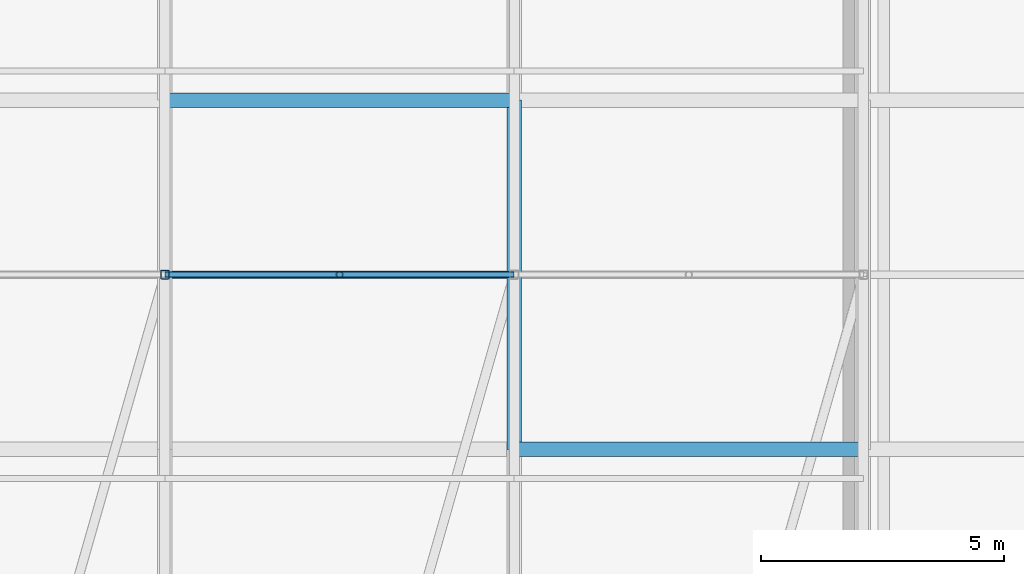
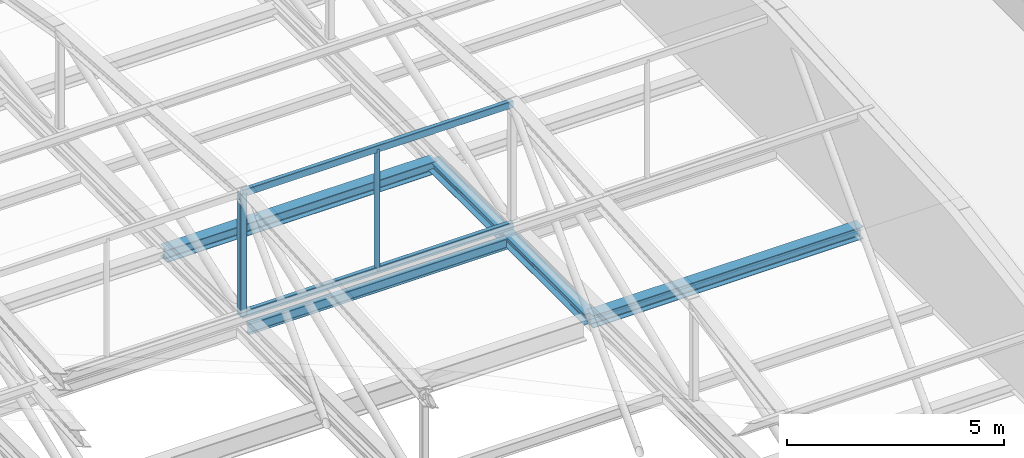
# One storey, part 32 of 76: 4 beams, 4 members.
"""IFC4 building model written with IfcOpenShell, lengths in metres."""

from ifc_helpers import new_model, si_unit, direction, frame, origin, origin_2d, place, context, subcontext, project, spatial, hollow_rectangle, hollow_circle, i_section, extrude, material, material_profile, profile_set, type_object, element, save


model = new_model("IFC4")

# Units and contexts
model_context = context("Model", 3, precision=1e-05, world=origin(), true_north=direction((0.0, 1.0)))
body_context = subcontext(model_context, "Body", "Model", "MODEL_VIEW")
ifc_project = project(units=[si_unit("LENGTHUNIT", "METRE"), si_unit("AREAUNIT", "SQUARE_METRE"), si_unit("VOLUMEUNIT", "CUBIC_METRE"), si_unit("PLANEANGLEUNIT", "RADIAN"), si_unit("MASSUNIT", "GRAM", prefix="KILO")], contexts=[model_context])

# Site, building, storey
site_placement = place(None, origin())
site = spatial("IfcSite", under=ifc_project, at=site_placement, CompositionType="ELEMENT")
building_placement = place(site_placement, origin())
building = spatial("IfcBuilding", under=site, at=building_placement, Name="Zlatovets Crest Museum", CompositionType="ELEMENT")
storey_placement = place(building_placement, frame((0.0, 0.0, 17.10009765625)))
storey = spatial("IfcBuildingStorey", under=building, at=storey_placement, Name="L04", CompositionType="ELEMENT", Elevation=17.10009765625)

# Beams
ifc_material = material(Name="Structural steel S355J2", Category="steel")
ifc_material_profile_1 = material_profile(ifc_material, i_section(OverallWidth=0.300048828125, OverallDepth=0.35009765625, WebThickness=0.010009765625, FlangeThickness=0.017578125, FilletRadius=0.027099609375, at=origin_2d()), Name="HEA 360")
ifc_profile_set_1 = profile_set([ifc_material_profile_1], Name="Structural steel S355J2")
beam_type_1 = type_object("IfcBeamType", Name="Beam_B-03", PredefinedType="BEAM", material=ifc_profile_set_1)
beam_1_placement = place(storey_placement, frame((21.60009765625, 72.0, -0.39501953125), z_axis=(1.0, 0.0, 0.0), x_axis=(0.0, 1.0, 0.0)))
element("IfcBeam", 1, at=beam_1_placement, inside=storey, type_object=beam_type_1, Name="V4 L04 Primary Girder B-03", PredefinedType="BEAM", context=body_context, shape_type="SweptSolid", body=[
    extrude(i_section(OverallWidth=0.300048828125, OverallDepth=0.35009765625, WebThickness=0.010009765625, FlangeThickness=0.017578125, FilletRadius=0.027099609375, at=origin_2d()), origin(), (0.0, 0.0, 1.0), 7.199951171875),
])
beam_2_placement = place(storey_placement, frame((14.39990234375, 79.199951171875, -0.39501953125), z_axis=(1.0, 0.0, 0.0), x_axis=(0.0, 1.0, 0.0)))
element("IfcBeam", 2, at=beam_2_placement, inside=storey, type_object=beam_type_1, Name="V4 L04 Primary Girder B-03", PredefinedType="BEAM", context=body_context, shape_type="SweptSolid", body=[
    extrude(i_section(OverallWidth=0.300048828125, OverallDepth=0.35009765625, WebThickness=0.010009765625, FlangeThickness=0.017578125, FilletRadius=0.027099609375, at=origin_2d()), origin(), (0.0, 0.0, 1.0), 7.2001953125),
])
ifc_material_profile_2 = material_profile(ifc_material, i_section(OverallWidth=0.300048828125, OverallDepth=0.31005859375, WebThickness=0.009033203125, FlangeThickness=0.015380859375, FilletRadius=0.027099609375, at=origin_2d()), Name="HEA 320")
ifc_profile_set_2 = profile_set([ifc_material_profile_2], Name="Structural steel S355J2")
beam_type_2 = type_object("IfcBeamType", Name="Beam_B-04", PredefinedType="BEAM", material=ifc_profile_set_2)
beam_3_placement = place(storey_placement, frame((21.60009765625, 72.0, -0.375), z_axis=(0.0, 1.0, 0.0), x_axis=(-1.0, 0.0, 0.0)))
element("IfcBeam", 3, at=beam_3_placement, inside=storey, type_object=beam_type_2, Name="V4 L04 Grid Beam B-04", PredefinedType="BEAM", context=body_context, shape_type="SweptSolid", body=[
    extrude(i_section(OverallWidth=0.300048828125, OverallDepth=0.31005859375, WebThickness=0.009033203125, FlangeThickness=0.015380859375, FilletRadius=0.027099609375, at=origin_2d()), origin(), (0.0, 0.0, 1.0), 7.199951171875),
])
ifc_material_profile_3 = material_profile(ifc_material, i_section(OverallWidth=0.14990234375, OverallDepth=0.300048828125, WebThickness=0.007080078125, FlangeThickness=0.0107421875, FilletRadius=0.014892578125, at=origin_2d()), Name="IPE 300")
ifc_profile_set_3 = profile_set([ifc_material_profile_3], Name="Structural steel S355J2")
beam_type_3 = type_object("IfcBeamType", Name="Beam_J-02", PredefinedType="JOIST", material=ifc_profile_set_3)
beam_4_placement = place(storey_placement, frame((14.550048828125, 75.60009765625, -0.3701171875), z_axis=(1.0, 0.0, 0.0), x_axis=(0.0, 1.0, 0.0)))
element("IfcBeam", 4, at=beam_4_placement, inside=storey, type_object=beam_type_3, Name="V4 L04 Composite Joist J-02", PredefinedType="JOIST", context=body_context, shape_type="SweptSolid", body=[
    extrude(i_section(OverallWidth=0.14990234375, OverallDepth=0.300048828125, WebThickness=0.007080078125, FlangeThickness=0.0107421875, FilletRadius=0.014892578125, at=origin_2d()), origin(), (0.0, 0.0, 1.0), 6.89990234375),
])

# Members
ifc_material_profile_4 = material_profile(ifc_material, hollow_rectangle(XDim=0.179931640625, YDim=0.179931640625, WallThickness=0.010009765625, InnerFilletRadius=0.010009765625, OuterFilletRadius=0.02001953125, at=origin_2d()), Name="SHS 180x180x10.0")
ifc_profile_set_4 = profile_set([ifc_material_profile_4], Name="Structural steel S355J2")
member_type_1 = type_object("IfcMemberType", Name="Member_TM-04", PredefinedType="STRUT", material=ifc_profile_set_4)
member_1_placement = place(storey_placement, frame((14.39990234375, 75.60009765625, 0.079833984375), z_axis=(0.0, 0.0, 1.0), x_axis=(1.0, 0.0, 0.0)))
element("IfcMember", 5, at=member_1_placement, inside=storey, type_object=member_type_1, Name="V4 Barrel Vault Web Strut", PredefinedType="STRUT", context=body_context, shape_type="SweptSolid", body=[
    extrude(hollow_rectangle(XDim=0.179931640625, YDim=0.179931640625, WallThickness=0.010009765625, InnerFilletRadius=0.010009765625, OuterFilletRadius=0.02001953125, at=origin_2d()), origin(), (0.0, 0.0, 1.0), 3.420166015625),
])
ifc_material_profile_5 = material_profile(ifc_material, hollow_circle(Radius=0.06982421875, WallThickness=0.008056640625, at=origin_2d()), Name="CHS 139.7x8.0")
ifc_profile_set_5 = profile_set([ifc_material_profile_5], Name="Structural steel S355J2")
member_type_2 = type_object("IfcMemberType", Name="Member_TM-11", PredefinedType="STRUT", material=ifc_profile_set_5)
member_2_placement = place(storey_placement, frame((18.0, 75.60009765625, 0.079833984375), z_axis=(0.0, 0.0, 1.0), x_axis=(1.0, 0.0, 0.0)))
element("IfcMember", 6, at=member_2_placement, inside=storey, type_object=member_type_2, Name="Gallery Vault Crown King-Post", PredefinedType="STRUT", context=body_context, shape_type="SweptSolid", body=[
    extrude(hollow_circle(Radius=0.06982421875, WallThickness=0.008056640625, at=origin_2d()), origin(), (0.0, 0.0, 1.0), 3.420166015625),
])
ifc_material_profile_6 = material_profile(ifc_material, hollow_rectangle(XDim=0.1201171875, YDim=0.199951171875, WallThickness=0.008056640625, InnerFilletRadius=0.008056640625, OuterFilletRadius=0.01611328125, at=origin_2d()), Name="RHS 120x200x8.0")
ifc_profile_set_6 = profile_set([ifc_material_profile_6], Name="Structural steel S355J2")
member_type_3 = type_object("IfcMemberType", Name="Member_TM-12", PredefinedType="CHORD", material=ifc_profile_set_6)
for number, where, z_axis, x_axis, name in (
    (7, (14.39990234375, 75.60009765625, 0.079833984375), (1.0, 0.0, 0.0), (0.0, 1.0, 0.0), "Gallery Vault Longitudinal Tie"),
    (8, (14.39990234375, 75.60009765625, 3.5), (1.0, 0.0, 0.0), (0.0, 1.0, 0.0), "Gallery Vault Crown Ridge Tie"),
):
    element("IfcMember", number, at=place(storey_placement, frame(where, z_axis=z_axis, x_axis=x_axis)), inside=storey, type_object=member_type_3, Name=name, PredefinedType="CHORD", context=body_context, shape_type="SweptSolid", body=[
        extrude(hollow_rectangle(XDim=0.1201171875, YDim=0.199951171875, WallThickness=0.008056640625, InnerFilletRadius=0.008056640625, OuterFilletRadius=0.01611328125, at=origin_2d()), origin(), (0.0, 0.0, 1.0), 7.2001953125),
    ])

save(model, "model.ifc")
